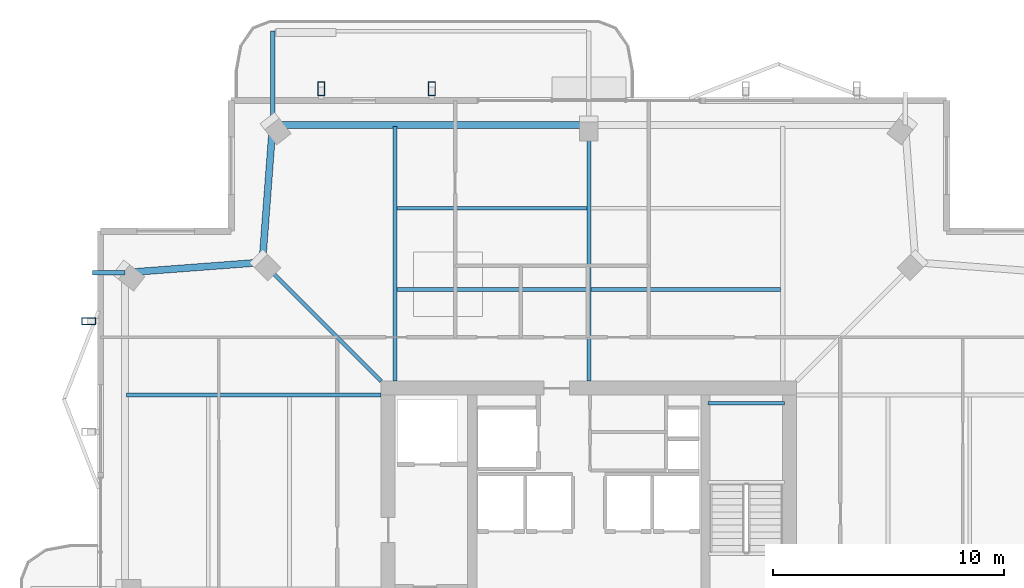
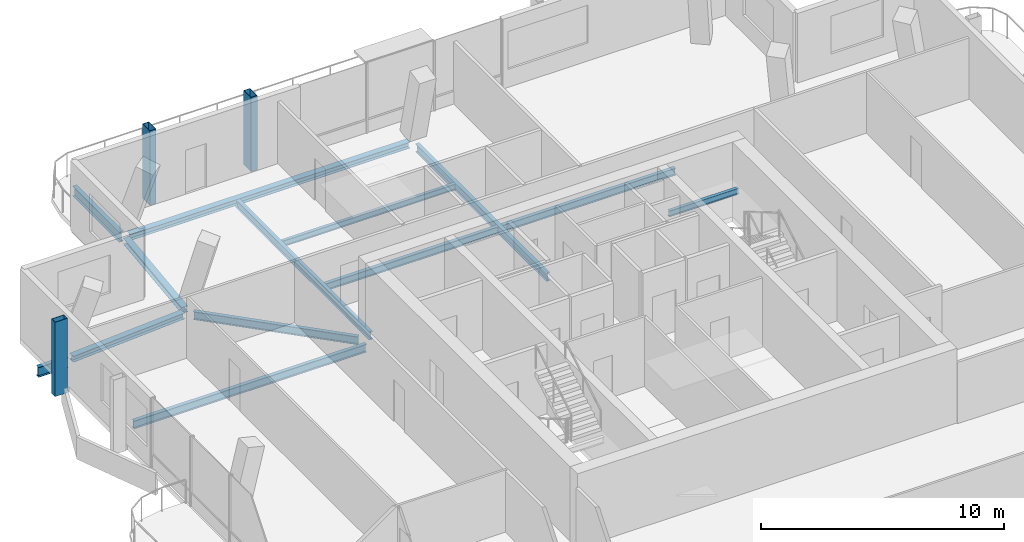
# One storey, part 11 of 20: 13 beams, 3 members.
"""IFC4 building model written with IfcOpenShell, lengths in metres."""

from ifc_helpers import new_model, si_unit, direction, frame, origin, origin_2d, place, context, subcontext, project, spatial, hollow_rectangle, i_section, extrude, material, material_profile, profile_set, type_object, element, save


model = new_model("IFC4")

# Units and contexts
model_context = context("Model", 3, precision=1e-05, world=origin(), true_north=direction((0.0, 1.0)))
body_context = subcontext(model_context, "Body", "Model", "MODEL_VIEW")
ifc_project = project(units=[si_unit("LENGTHUNIT", "METRE"), si_unit("AREAUNIT", "SQUARE_METRE"), si_unit("VOLUMEUNIT", "CUBIC_METRE"), si_unit("PLANEANGLEUNIT", "RADIAN"), si_unit("MASSUNIT", "GRAM", prefix="KILO")], contexts=[model_context])

# Site, building, storey
site_placement = place(None, origin())
site = spatial("IfcSite", under=ifc_project, at=site_placement, CompositionType="ELEMENT")
building_placement = place(site_placement, origin())
building = spatial("IfcBuilding", under=site, at=building_placement, Name="Belovzor Exchange Tower", CompositionType="ELEMENT")
storey_placement = place(building_placement, frame((0.0, 0.0, 351.75)))
storey = spatial("IfcBuildingStorey", under=building, at=storey_placement, Name="L88", CompositionType="ELEMENT", Elevation=351.75)

# Beams
ifc_material_1 = material(Name="Steel S355", Category="steel")
ifc_material_profile_1 = material_profile(ifc_material_1, i_section(OverallWidth=0.199951171875, OverallDepth=0.5, WebThickness=0.01025390625, FlangeThickness=0.01611328125, at=origin_2d()))
ifc_profile_set_1 = profile_set([ifc_material_profile_1], Name="Steel S355")
beam_type_1 = type_object("IfcBeamType", Name="Planted Balcony Cantilever Beam IPE 500", PredefinedType="BEAM", material=ifc_profile_set_1)
beam_1_placement = place(storey_placement, frame((15.10009765625, 49.1201171875, -0.489990234375), z_axis=(0.0, 1.0, 0.0), x_axis=(-1.0, 0.0, 0.0)))
element("IfcBeam", 1, at=beam_1_placement, inside=storey, type_object=beam_type_1, Name="BC-500 Planted Balcony Cantilever Beam IPE 500", PredefinedType="BEAM", context=body_context, shape_type="SweptSolid", body=[
    extrude(i_section(OverallWidth=0.199951171875, OverallDepth=0.5, WebThickness=0.01025390625, FlangeThickness=0.01611328125, at=origin_2d()), origin(), (0.0, 0.0, 1.0), 3.849853515625),
])
beam_2_placement = place(storey_placement, frame((8.699951171875, 42.5, -0.489990234375), z_axis=(-1.0, 0.0, 0.0), x_axis=(0.0, -1.0, 0.0)))
element("IfcBeam", 2, at=beam_2_placement, inside=storey, type_object=beam_type_1, Name="BC-500 Planted Balcony Cantilever Beam IPE 500", PredefinedType="BEAM", context=body_context, shape_type="SweptSolid", body=[
    extrude(i_section(OverallWidth=0.199951171875, OverallDepth=0.5, WebThickness=0.01025390625, FlangeThickness=0.01611328125, at=origin_2d()), origin(), (0.0, 0.0, 1.0), 1.39990234375),
])
ifc_material_2 = material(Name="Steel S355", Category="steel")
ifc_material_profile_2 = material_profile(ifc_material_2, i_section(OverallWidth=0.169921875, OverallDepth=0.360107421875, WebThickness=0.008056640625, FlangeThickness=0.0126953125, at=origin_2d()))
ifc_profile_set_2 = profile_set([ifc_material_profile_2], Name="Steel S355")
beam_type_2 = type_object("IfcBeamType", Name="Secondary Infill Floor Joist IPE 360", PredefinedType="BEAM", material=ifc_profile_set_2)
beam_3_placement = place(storey_placement, frame((20.489990234375, 41.76904296875, -0.419921875), z_axis=(1.0, 0.0, 0.0), x_axis=(0.0, 1.0, 0.0)))
element("IfcBeam", 3, at=beam_3_placement, inside=storey, type_object=beam_type_2, Name="FJ-360 Secondary Infill Floor Joist IPE 360", PredefinedType="BEAM", context=body_context, shape_type="SweptSolid", body=[
    extrude(i_section(OverallWidth=0.169921875, OverallDepth=0.360107421875, WebThickness=0.008056640625, FlangeThickness=0.0126953125, at=origin_2d()), origin(), (0.0, 0.0, 1.0), 8.219970703125),
])
beam_4_placement = place(storey_placement, frame((28.889892578125, 41.76904296875, -0.419921875), z_axis=(1.0, 0.0, 0.0), x_axis=(0.0, 1.0, 0.0)))
element("IfcBeam", 4, at=beam_4_placement, inside=storey, type_object=beam_type_2, Name="FJ-360 Secondary Infill Floor Joist IPE 360", PredefinedType="BEAM", context=body_context, shape_type="SweptSolid", body=[
    extrude(i_section(OverallWidth=0.169921875, OverallDepth=0.360107421875, WebThickness=0.008056640625, FlangeThickness=0.0126953125, at=origin_2d()), origin(), (0.0, 0.0, 1.0), 8.22021484375),
])
ifc_material_3 = material(Name="Steel S355", Category="steel")
ifc_material_profile_3 = material_profile(ifc_material_3, i_section(OverallWidth=0.14990234375, OverallDepth=0.300048828125, WebThickness=0.007080078125, FlangeThickness=0.0107421875, at=origin_2d()))
ifc_profile_set_3 = profile_set([ifc_material_profile_3], Name="Steel S355")
beam_type_3 = type_object("IfcBeamType", Name="Secondary Trim Floor Joist IPE 300", PredefinedType="BEAM", material=ifc_profile_set_3)
beam_5_placement = place(storey_placement, frame((37.280029296875, 36.85009765625, 1.52490234375), z_axis=(-1.0, 0.0, 0.0), x_axis=(0.0, -1.0, 0.0)))
element("IfcBeam", 5, at=beam_5_placement, inside=storey, type_object=beam_type_3, Name="FJ-300 Secondary Trim Floor Joist IPE 300", PredefinedType="BEAM", context=body_context, shape_type="SweptSolid", body=[
    extrude(i_section(OverallWidth=0.14990234375, OverallDepth=0.300048828125, WebThickness=0.007080078125, FlangeThickness=0.0107421875, at=origin_2d()), origin(), (0.0, 0.0, 1.0), 3.31005859375),
])
beam_6_placement = place(storey_placement, frame((20.489990234375, 45.297119140625, -0.389892578125), z_axis=(1.0, 0.0, 0.0), x_axis=(0.0, 1.0, 0.0)))
element("IfcBeam", 6, at=beam_6_placement, inside=storey, type_object=beam_type_3, Name="FJ-300 Secondary Trim Floor Joist IPE 300", PredefinedType="BEAM", context=body_context, shape_type="SweptSolid", body=[
    extrude(i_section(OverallWidth=0.14990234375, OverallDepth=0.300048828125, WebThickness=0.007080078125, FlangeThickness=0.0107421875, at=origin_2d()), origin(), (0.0, 0.0, 1.0), 8.219970703125),
])

# Members
ifc_material_4 = material(Name="Extruded Architectural Terracotta on Steel S355 Carrier", Category="masonry")
ifc_material_profile_4 = material_profile(ifc_material_4, hollow_rectangle(XDim=0.300048828125, YDim=0.60009765625, WallThickness=0.01611328125, at=origin_2d()))
ifc_profile_set_4 = profile_set([ifc_material_profile_4], Name="Extruded Architectural Terracotta on Steel S355 Carrier")
member_type = type_object("IfcMemberType", Name="Upper Crown Terracotta Fin Assembly 550", PredefinedType="USERDEFINED", material=ifc_profile_set_4)
for number, where, z_axis, x_axis, name in (
    (7, (17.199951171875, 50.47509765625, -0.239990234375), (0.0, 0.0, 1.0), (1.0, 0.0, 0.0), "FIN-TC055 Terracotta Facade Fin L88 N1"),
    (8, (22.0, 50.47509765625, -0.239990234375), (0.0, 0.0, 1.0), (1.0, 0.0, 0.0), "FIN-TC055 Terracotta Facade Fin L88 N2"),
    (9, (7.125, 40.39990234375, -0.239990234375), (0.0, 0.0, 1.0), (0.0, 1.0, 0.0), "FIN-TC055 Terracotta Facade Fin L88 W4"),
):
    element("IfcMember", number, at=place(storey_placement, frame(where, z_axis=z_axis, x_axis=x_axis)), inside=storey, type_object=member_type, Name=name, ObjectType="FIN", PredefinedType="USERDEFINED", context=body_context, shape_type="SweptSolid", body=[
        extrude(hollow_rectangle(XDim=0.300048828125, YDim=0.60009765625, WallThickness=0.01611328125, at=origin_2d()), origin(), (0.0, 0.0, 1.0), 3.72998046875),
    ])

# Beams
ifc_material_5 = material(Name="Steel S355", Category="steel")
ifc_material_profile_5 = material_profile(ifc_material_5, i_section(OverallWidth=0.179931640625, OverallDepth=0.39990234375, WebThickness=0.008544921875, FlangeThickness=0.013427734375, at=origin_2d()))
ifc_profile_set_5 = profile_set([ifc_material_profile_5], Name="Steel S355")
beam_type_4 = type_object("IfcBeamType", Name="Zone 5-6 Radial Composite Floor Beam IPE 400", PredefinedType="BEAM", material=ifc_profile_set_5)
beam_7_placement = place(storey_placement, frame((20.39990234375, 37.800048828125, -0.43994140625), z_axis=(0.0, 1.0, 0.0), x_axis=(-1.0, 0.0, 0.0)))
element("IfcBeam", 10, at=beam_7_placement, inside=storey, type_object=beam_type_4, Name="FB-400 Zone 5-6 Radial Composite Floor Beam IPE 400", PredefinedType="BEAM", context=body_context, shape_type="SweptSolid", body=[
    extrude(i_section(OverallWidth=0.179931640625, OverallDepth=0.39990234375, WebThickness=0.008544921875, FlangeThickness=0.013427734375, at=origin_2d()), origin(), (0.0, 0.0, 1.0), 11.02490234375),
])
beam_8_placement = place(storey_placement, frame((28.800048828125, 37.800048828125, -0.43994140625), z_axis=(0.0, 1.0, 0.0), x_axis=(-1.0, 0.0, 0.0)))
element("IfcBeam", 11, at=beam_8_placement, inside=storey, type_object=beam_type_4, Name="FB-400 Zone 5-6 Radial Composite Floor Beam IPE 400", PredefinedType="BEAM", context=body_context, shape_type="SweptSolid", body=[
    extrude(i_section(OverallWidth=0.179931640625, OverallDepth=0.39990234375, WebThickness=0.008544921875, FlangeThickness=0.013427734375, at=origin_2d()), origin(), (0.0, 0.0, 1.0), 10.748046875),
])
beam_9_placement = place(storey_placement, frame((19.800048828125, 37.199951171875, -0.43994140625), z_axis=(-1.0, 0.0, 0.0), x_axis=(0.0, -1.0, 0.0)))
element("IfcBeam", 12, at=beam_9_placement, inside=storey, type_object=beam_type_4, Name="FB-400 Zone 5-6 Radial Composite Floor Beam IPE 400", PredefinedType="BEAM", context=body_context, shape_type="SweptSolid", body=[
    extrude(i_section(OverallWidth=0.179931640625, OverallDepth=0.39990234375, WebThickness=0.008544921875, FlangeThickness=0.013427734375, at=origin_2d()), origin(), (0.0, 0.0, 1.0), 11.025146484375),
])
beam_10_placement = place(storey_placement, frame((19.800048828125, 37.800048828125, -0.43994140625), z_axis=(-0.707106781187, 0.707106781187, 0.0), x_axis=(-0.707106781187, -0.707106781187, 0.0)))
element("IfcBeam", 13, at=beam_10_placement, inside=storey, type_object=beam_type_4, Name="FB-400 Zone 5-6 Radial Composite Floor Beam IPE 400", PredefinedType="BEAM", context=body_context, shape_type="SweptSolid", body=[
    extrude(i_section(OverallWidth=0.179931640625, OverallDepth=0.39990234375, WebThickness=0.008544921875, FlangeThickness=0.013427734375, at=origin_2d()), origin(), (0.0, 0.0, 1.0), 7.000244140625),
])
ifc_material_6 = material(Name="Steel S355", Category="steel")
ifc_material_profile_6 = material_profile(ifc_material_6, i_section(OverallWidth=0.300048828125, OverallDepth=0.300048828125, WebThickness=0.008544921875, FlangeThickness=0.013916015625, at=origin_2d()))
ifc_profile_set_6 = profile_set([ifc_material_profile_6], Name="Steel S355")
beam_type_5 = type_object("IfcBeamType", Name="Zone 6 Primary Girder HEA 300", PredefinedType="BEAM", material=ifc_profile_set_6)
beam_11_placement = place(storey_placement, frame((28.580078125, 48.89990234375, -0.389892578125), z_axis=(-1.0, 0.0, 0.0), x_axis=(0.0, -1.0, 0.0)))
element("IfcBeam", 14, at=beam_11_placement, inside=storey, type_object=beam_type_5, Name="FG-Z6 Zone 6 Primary Girder HEA 300", PredefinedType="BEAM", context=body_context, shape_type="SweptSolid", body=[
    extrude(i_section(OverallWidth=0.300048828125, OverallDepth=0.300048828125, WebThickness=0.008544921875, FlangeThickness=0.013916015625, at=origin_2d()), origin(), (0.0, 0.0, 1.0), 13.260009765625),
])
for number, where, z_axis, x_axis, name in (
    (15, (15.0830078125, 48.680908203125, -0.389892578125), (-0.075260983968, -0.99716387033, 0.0), (0.99716387033, -0.075260983968, 0.0), "FG-Z6 Zone 6 Primary Girder HEA 300"),
    (16, (14.430908203125, 42.93310546875, -0.389892578125), (-0.99716387033, -0.075260983968, 0.0), (0.075260983968, -0.99716387033, 0.0), "FG-Z6 Zone 6 Primary Girder HEA 300"),
):
    element("IfcBeam", number, at=place(storey_placement, frame(where, z_axis=z_axis, x_axis=x_axis)), inside=storey, type_object=beam_type_5, Name=name, PredefinedType="BEAM", context=body_context, shape_type="SweptSolid", body=[
        extrude(i_section(OverallWidth=0.300048828125, OverallDepth=0.300048828125, WebThickness=0.008544921875, FlangeThickness=0.013916015625, at=origin_2d()), origin(), (0.0, 0.0, 1.0), 5.527587890625),
    ])

save(model, "model.ifc")
